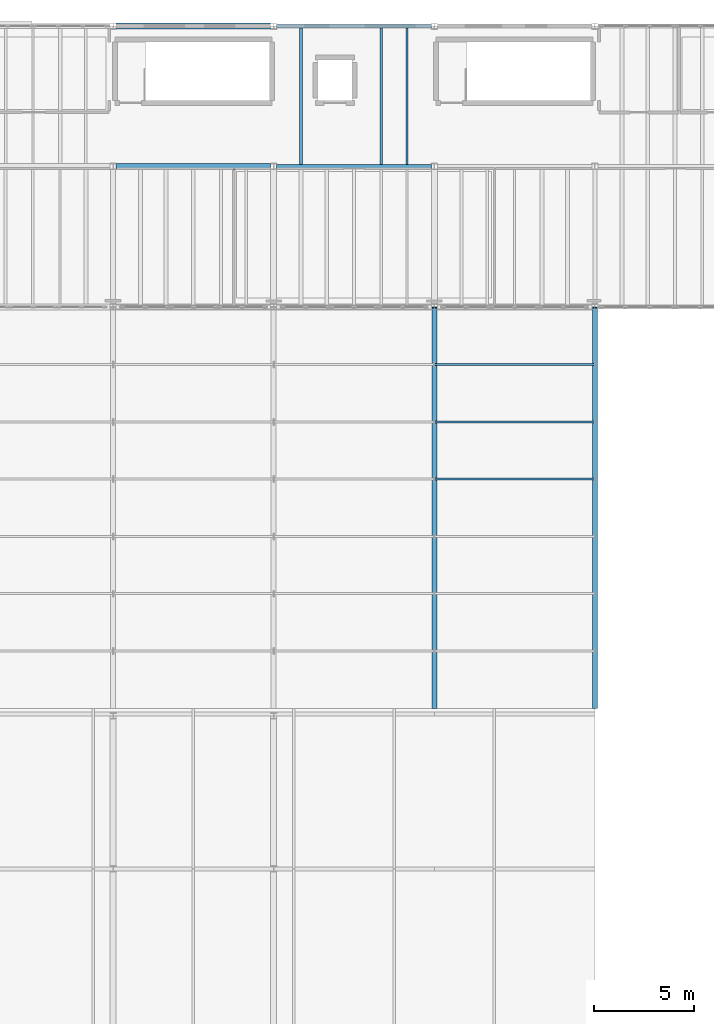
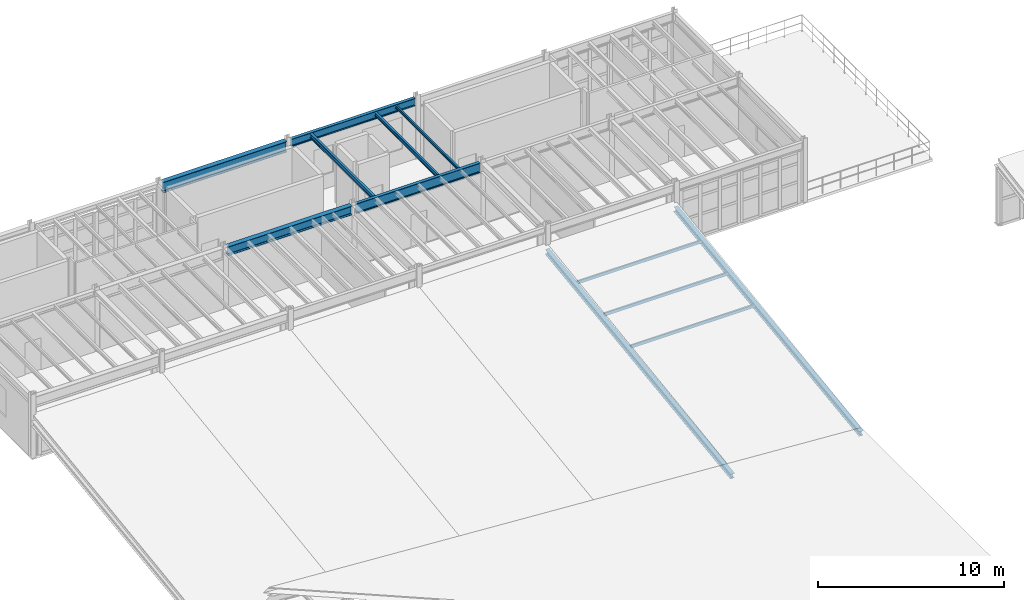
# One storey, part 14 of 77: 7 beams, 5 members.
"""IFC4 building model written with IfcOpenShell, lengths in metres."""

from ifc_helpers import new_model, si_unit, direction, frame, origin, origin_2d, place, context, subcontext, project, spatial, hollow_rectangle, i_section, extrude, material, material_profile, profile_set, type_object, element, save


model = new_model("IFC4")

# Units and contexts
model_context = context("Model", 3, precision=1e-05, world=origin(), true_north=direction((0.0, 1.0)))
body_context = subcontext(model_context, "Body", "Model", "MODEL_VIEW")
ifc_project = project(units=[si_unit("LENGTHUNIT", "METRE"), si_unit("AREAUNIT", "SQUARE_METRE"), si_unit("VOLUMEUNIT", "CUBIC_METRE"), si_unit("PLANEANGLEUNIT", "RADIAN"), si_unit("MASSUNIT", "GRAM", prefix="KILO"), si_unit("THERMODYNAMICTEMPERATUREUNIT", "KELVIN"), si_unit("POWERUNIT", "WATT")], contexts=[model_context])

# Site, building, storey
site_placement = place(None, origin())
site = spatial("IfcSite", under=ifc_project, at=site_placement, CompositionType="ELEMENT")
building_placement = place(site_placement, origin())
building = spatial("IfcBuilding", under=site, at=building_placement, Name="Zhenchuan Central Fire Station", CompositionType="ELEMENT")
storey_placement = place(building_placement, frame((0.0, 0.0, 10.050048828125)))
storey = spatial("IfcBuildingStorey", under=building, at=storey_placement, Name="L03", CompositionType="ELEMENT", Elevation=10.050048828125)

# Beams
ifc_material = material(Name="Steel Q355B", Category="steel")
ifc_material_profile_1 = material_profile(ifc_material, i_section(OverallWidth=0.300048828125, OverallDepth=0.587890625, WebThickness=0.011962890625, FlangeThickness=0.02001953125, FilletRadius=0.02392578125, at=origin_2d()), Name="HM 588x300")
ifc_profile_set_1 = profile_set([ifc_material_profile_1], Name="Steel Q355B")
beam_type_1 = type_object("IfcBeamType", Name="BM-HM588", PredefinedType="BEAM", material=ifc_profile_set_1)
beam_1_placement = place(storey_placement, frame((16.14990234375, 49.5, 3.68603515625), z_axis=(1.0, 0.0, 0.0), x_axis=(0.0, 1.0, 0.0)))
element("IfcBeam", 1, at=beam_1_placement, inside=storey, type_object=beam_type_1, Name="L04 Girder EW 0374", PredefinedType="BEAM", context=body_context, shape_type="SweptSolid", body=[
    extrude(i_section(OverallWidth=0.300048828125, OverallDepth=0.587890625, WebThickness=0.011962890625, FlangeThickness=0.02001953125, FilletRadius=0.02392578125, at=origin_2d()), origin(), (0.0, 0.0, 1.0), 7.7001953125),
])
ifc_material_profile_2 = material_profile(ifc_material, i_section(OverallWidth=0.199951171875, OverallDepth=0.64990234375, WebThickness=0.011962890625, FlangeThickness=0.02001953125, FilletRadius=0.02197265625, at=origin_2d()), Name="HN 650x200")
ifc_profile_set_2 = profile_set([ifc_material_profile_2], Name="Steel Q355B")
beam_type_2 = type_object("IfcBeamType", Name="BM-HN650", PredefinedType="BEAM", material=ifc_profile_set_2)
beam_2_placement = place(storey_placement, frame((24.14990234375, 49.5, 3.655029296875), z_axis=(1.0, 0.0, 0.0), x_axis=(0.0, 1.0, 0.0)))
element("IfcBeam", 2, at=beam_2_placement, inside=storey, type_object=beam_type_2, Name="L04 Girder EW 0375", PredefinedType="BEAM", context=body_context, shape_type="SweptSolid", body=[
    extrude(i_section(OverallWidth=0.199951171875, OverallDepth=0.64990234375, WebThickness=0.011962890625, FlangeThickness=0.02001953125, FilletRadius=0.02197265625, at=origin_2d()), origin(), (0.0, 0.0, 1.0), 7.7001953125),
])
ifc_material_profile_3 = material_profile(ifc_material, i_section(OverallWidth=0.300048828125, OverallDepth=0.699951171875, WebThickness=0.012939453125, FlangeThickness=0.02392578125, FilletRadius=0.02392578125, at=origin_2d()), Name="HN 700x300")
ifc_profile_set_3 = profile_set([ifc_material_profile_3], Name="Steel Q355B")
beam_type_3 = type_object("IfcBeamType", Name="BM-HN700-EXT", PredefinedType="BEAM", material=ifc_profile_set_3)
beam_3_placement = place(storey_placement, frame((16.14990234375, 56.5, 3.6298828125), z_axis=(1.0, 0.0, 0.0), x_axis=(0.0, 1.0, 0.0)))
element("IfcBeam", 3, at=beam_3_placement, inside=storey, type_object=beam_type_3, Name="L04 Girder EW 0384", PredefinedType="BEAM", context=body_context, shape_type="SweptSolid", body=[
    extrude(i_section(OverallWidth=0.300048828125, OverallDepth=0.699951171875, WebThickness=0.012939453125, FlangeThickness=0.02392578125, FilletRadius=0.02392578125, at=origin_2d()), origin(), (0.0, 0.0, 1.0), 7.7001953125),
])
ifc_material_profile_4 = material_profile(ifc_material, i_section(OverallWidth=0.10009765625, OverallDepth=0.199951171875, WebThickness=0.005615234375, FlangeThickness=0.008056640625, FilletRadius=0.010986328125, at=origin_2d()), Name="HN 200x100")
ifc_profile_set_4 = profile_set([ifc_material_profile_4], Name="Steel Q355B")
beam_type_4 = type_object("IfcBeamType", Name="JS-HN200", PredefinedType="JOIST", material=ifc_profile_set_4)
beam_4_placement = place(storey_placement, frame((30.639892578125, 49.596923828125, 3.8798828125), z_axis=(0.0, 1.0, 0.0), x_axis=(-1.0, 0.0, 0.0)))
element("IfcBeam", 4, at=beam_4_placement, inside=storey, type_object=beam_type_4, Name="L04 Secondary Joist 0691", PredefinedType="JOIST", context=body_context, shape_type="SweptSolid", body=[
    extrude(i_section(OverallWidth=0.10009765625, OverallDepth=0.199951171875, WebThickness=0.005615234375, FlangeThickness=0.008056640625, FilletRadius=0.010986328125, at=origin_2d()), origin(), (0.0, 0.0, 1.0), 6.80615234375),
])
ifc_material_profile_5 = material_profile(ifc_material, i_section(OverallWidth=0.125, OverallDepth=0.25, WebThickness=0.006103515625, FlangeThickness=0.009033203125, FilletRadius=0.011962890625, at=origin_2d()), Name="HN 250x125")
ifc_profile_set_5 = profile_set([ifc_material_profile_5], Name="Steel Q355B")
beam_type_5 = type_object("IfcBeamType", Name="JS-HN250", PredefinedType="JOIST", material=ifc_profile_set_5)
beam_5_placement = place(storey_placement, frame((29.360107421875, 49.596923828125, 3.85498046875), z_axis=(0.0, 1.0, 0.0), x_axis=(-1.0, 0.0, 0.0)))
element("IfcBeam", 5, at=beam_5_placement, inside=storey, type_object=beam_type_5, Name="L04 Secondary Joist 0690", PredefinedType="JOIST", context=body_context, shape_type="SweptSolid", body=[
    extrude(i_section(OverallWidth=0.125, OverallDepth=0.25, WebThickness=0.006103515625, FlangeThickness=0.009033203125, FilletRadius=0.011962890625, at=origin_2d()), origin(), (0.0, 0.0, 1.0), 6.80615234375),
])
ifc_material_profile_6 = material_profile(ifc_material, i_section(OverallWidth=0.14990234375, OverallDepth=0.300048828125, WebThickness=0.006591796875, FlangeThickness=0.009033203125, FilletRadius=0.012939453125, at=origin_2d()), Name="HN 300x150")
ifc_profile_set_6 = profile_set([ifc_material_profile_6], Name="Steel Q355B")
beam_type_6 = type_object("IfcBeamType", Name="JS-HN300", PredefinedType="JOIST", material=ifc_profile_set_6)
beam_6_placement = place(storey_placement, frame((25.360107421875, 49.596923828125, 3.829833984375), z_axis=(0.0, 1.0, 0.0), x_axis=(-1.0, 0.0, 0.0)))
element("IfcBeam", 6, at=beam_6_placement, inside=storey, type_object=beam_type_6, Name="L04 Secondary Joist 0689", PredefinedType="JOIST", context=body_context, shape_type="SweptSolid", body=[
    extrude(i_section(OverallWidth=0.14990234375, OverallDepth=0.300048828125, WebThickness=0.006591796875, FlangeThickness=0.009033203125, FilletRadius=0.012939453125, at=origin_2d()), origin(), (0.0, 0.0, 1.0), 6.80615234375),
])

# Members
ifc_material_profile_7 = material_profile(ifc_material, hollow_rectangle(XDim=0.10009765625, YDim=0.199951171875, WallThickness=0.008056640625, at=origin_2d()), Name="RHS 200x100x8")
ifc_profile_set_7 = profile_set([ifc_material_profile_7], Name="Steel Q355B")
member_type_1 = type_object("IfcMemberType", Name="MB-PR-RHS200", PredefinedType="PURLIN", material=ifc_profile_set_7)
for number, where, z_axis, x_axis, name in (
    (7, (32.014892578125, 33.9169921875, 1.161376953125), (1.0, 0.0, 0.0), (0.0, 1.0, 0.0), "Workshop Sawtooth Purlin 5.4"),
    (8, (32.014892578125, 36.771484375, 1.544189453125), (1.0, 0.0, 0.0), (0.0, 1.0, 0.0), "Workshop Sawtooth Purlin 5.5"),
    (9, (32.014892578125, 39.625732421875, 1.927001953125), (1.0, 0.0, 0.0), (0.0, 1.0, 0.0), "Workshop Sawtooth Purlin 5.6"),
):
    element("IfcMember", number, at=place(storey_placement, frame(where, z_axis=z_axis, x_axis=x_axis)), inside=storey, type_object=member_type_1, Name=name, PredefinedType="PURLIN", context=body_context, shape_type="SweptSolid", body=[
        extrude(hollow_rectangle(XDim=0.10009765625, YDim=0.199951171875, WallThickness=0.008056640625, at=origin_2d()), origin(), (0.0, 0.0, 1.0), 7.97021484375),
    ])
ifc_material_profile_8 = material_profile(ifc_material, i_section(OverallWidth=0.25, OverallDepth=0.340087890625, WebThickness=0.009033203125, FlangeThickness=0.013916015625, FilletRadius=0.01806640625, at=origin_2d()), Name="HM 340x250")
ifc_profile_set_8 = profile_set([ifc_material_profile_8], Name="Steel Q355B")
member_type_2 = type_object("IfcMemberType", Name="MB-RF-HM340", PredefinedType="RAFTER", material=ifc_profile_set_8)
member_1_placement = place(storey_placement, frame((32.0, 22.5, -0.35009765625), z_axis=(0.0, 0.991124046415, 0.132940304718), x_axis=(-1.0, 0.0, 0.0)))
element("IfcMember", 10, at=member_1_placement, inside=storey, type_object=member_type_2, Name="Workshop Sawtooth Rafter 4.2", PredefinedType="RAFTER", context=body_context, shape_type="SweptSolid", body=[
    extrude(i_section(OverallWidth=0.25, OverallDepth=0.340087890625, WebThickness=0.009033203125, FlangeThickness=0.013916015625, FilletRadius=0.01806640625, at=origin_2d()), origin(), (0.0, 0.0, 1.0), 20.158935546875),
])
ifc_material_profile_9 = material_profile(ifc_material, i_section(OverallWidth=0.25, OverallDepth=0.340087890625, WebThickness=0.009033203125, FlangeThickness=0.013916015625, FilletRadius=0.01806640625, at=origin_2d()), Name="HM 340x250")
ifc_profile_set_9 = profile_set([ifc_material_profile_9], Name="Steel Q355B")
member_type_3 = type_object("IfcMemberType", Name="MB-RF-HM340-EXT", PredefinedType="RAFTER", material=ifc_profile_set_9)
member_2_placement = place(storey_placement, frame((40.0, 22.5, -0.35009765625), z_axis=(0.0, 0.991124046415, 0.132940304718), x_axis=(-1.0, 0.0, 0.0)))
element("IfcMember", 11, at=member_2_placement, inside=storey, type_object=member_type_3, Name="Workshop Sawtooth Rafter 5.2", PredefinedType="RAFTER", context=body_context, shape_type="SweptSolid", body=[
    extrude(i_section(OverallWidth=0.25, OverallDepth=0.340087890625, WebThickness=0.009033203125, FlangeThickness=0.013916015625, FilletRadius=0.01806640625, at=origin_2d()), origin(), (0.0, 0.0, 1.0), 20.158935546875),
])

# Beam
ifc_material_profile_10 = material_profile(ifc_material, i_section(OverallWidth=0.199951171875, OverallDepth=0.5, WebThickness=0.010009765625, FlangeThickness=0.01611328125, FilletRadius=0.02001953125, at=origin_2d()), Name="HN 500x200")
ifc_profile_set_10 = profile_set([ifc_material_profile_10], Name="Steel Q355B")
beam_type_7 = type_object("IfcBeamType", Name="SP-HN500", PredefinedType="SPANDREL", material=ifc_profile_set_10)
beam_7_placement = place(storey_placement, frame((24.14990234375, 56.5, 3.72998046875), z_axis=(1.0, 0.0, 0.0), x_axis=(0.0, 1.0, 0.0)))
element("IfcBeam", 12, at=beam_7_placement, inside=storey, type_object=beam_type_7, Name="L04 Girder EW 0385", PredefinedType="SPANDREL", context=body_context, shape_type="SweptSolid", body=[
    extrude(i_section(OverallWidth=0.199951171875, OverallDepth=0.5, WebThickness=0.010009765625, FlangeThickness=0.01611328125, FilletRadius=0.02001953125, at=origin_2d()), origin(), (0.0, 0.0, 1.0), 7.7001953125),
])

save(model, "model.ifc")
